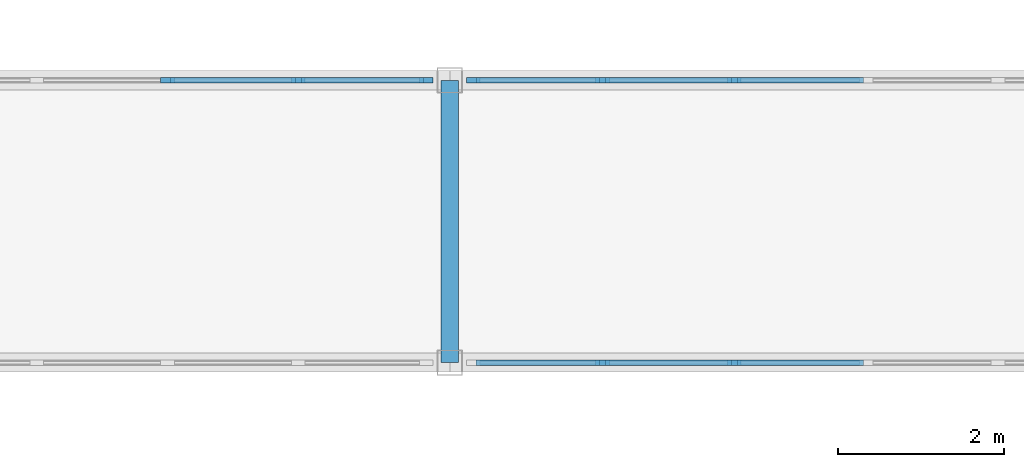
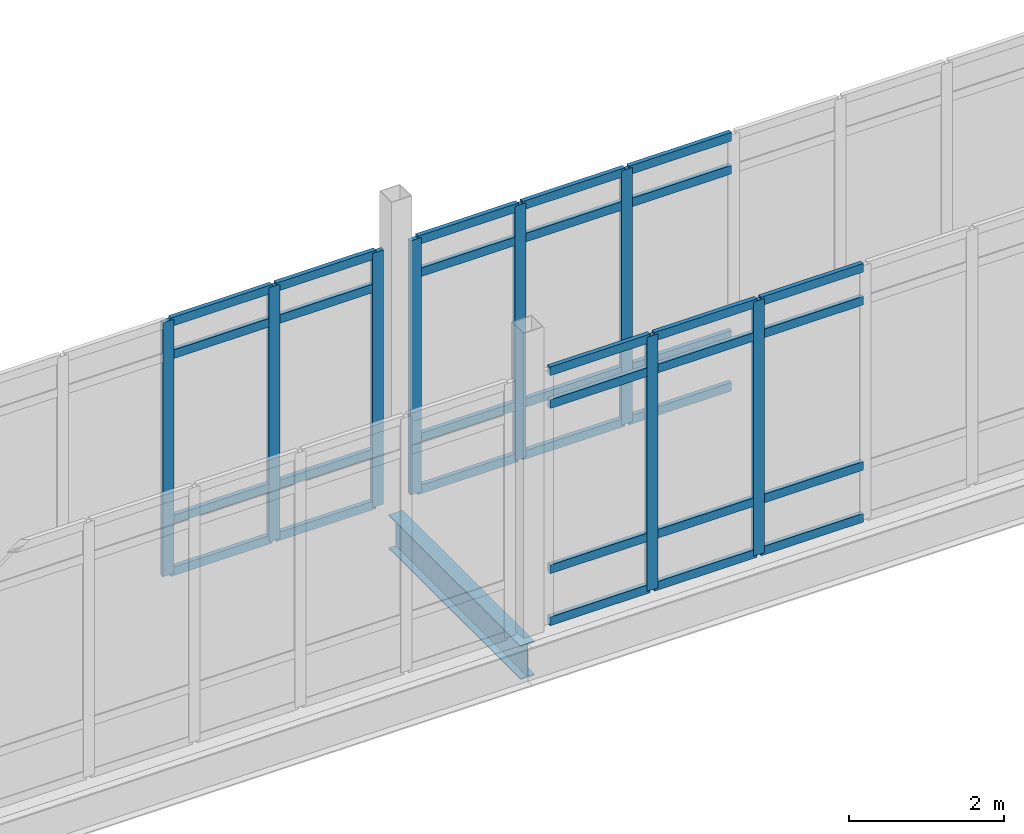
# One storey, part 36 of 125: 40 members, 1 beam, 3 elements without a shape of their own.
"""IFC4 building model written with IfcOpenShell, lengths in metres."""

import ifcopenshell
import ifcopenshell.guid

model = None  # the IFC model being written
_history = None  # IfcOwnerHistory: only IFC2X3 demands one
_inside = {}  # id of a spatial element -> (the spatial element, [elements in it])
_under = {}  # id of a project, library or spatial element -> (it, [spatial elements below it])
_declared = {}  # id of a project -> (the project, [libraries it declares])
_typed = {}  # id of a type object -> (the type object, [elements of that type])
_made_of = {}  # id of a material, layer set ... -> (it, [elements and type objects made of it])


def new_model(schema):
    """Start an empty IFC model of exactly this schema.

    Asked for "IFC4X3", IfcOpenShell would pick the latest addendum, in which some entities
    have other attributes; the version numbers below select the first issue.
    IFC2X3 requires an IfcOwnerHistory on every rooted entity: one is made here for all.
    """
    global model, _history
    if schema == "IFC4X3":
        model = ifcopenshell.file(schema_version=(4, 3, 0, 0))
    else:
        model = ifcopenshell.file(schema=schema)
    _inside.clear()
    _under.clear()
    _declared.clear()
    _typed.clear()
    _made_of.clear()
    _history = None
    if model.schema == "IFC2X3":
        org = make("IfcOrganization", Name="unknown")
        user = make(
            "IfcPersonAndOrganization",
            ThePerson=make("IfcPerson", FamilyName="unknown"),
            TheOrganization=org,
        )
        app = make(
            "IfcApplication",
            ApplicationDeveloper=org,
            Version="unknown",
            ApplicationFullName="unknown",
            ApplicationIdentifier="unknown",
        )
        _history = make(
            "IfcOwnerHistory",
            OwningUser=user,
            OwningApplication=app,
            ChangeAction="ADDED",
            CreationDate=0,
        )
    return model


def make(cls, **values):
    """One entity of the class cls with the attributes given. An attribute that is None is left unset."""
    return model.create_entity(
        cls, **{name: value for name, value in values.items() if value is not None}
    )


def rooted(cls, **values):
    """An entity with a GlobalId (a new one), such as an element, a storey or a relation."""
    return make(cls, GlobalId=ifcopenshell.guid.new(), OwnerHistory=_history, **values)


def si_unit(unit_type, name, prefix=None):
    """IfcSIUnit, for example si_unit("LENGTHUNIT", "METRE", prefix="MILLI")."""
    return make("IfcSIUnit", UnitType=unit_type, Prefix=prefix, Name=name)


def assignment(units):
    """IfcUnitAssignment: the units of a project."""
    return None if units is None else make("IfcUnitAssignment", Units=units)


def point(xyz):
    """IfcCartesianPoint."""
    return None if xyz is None else make("IfcCartesianPoint", Coordinates=xyz)


def direction(xyz):
    """IfcDirection."""
    return None if xyz is None else make("IfcDirection", DirectionRatios=xyz)


def frame(location, z_axis=None, x_axis=None):
    """IfcAxis2Placement3D, a coordinate frame: its origin and axes. An axis left out is left unset."""
    return make(
        "IfcAxis2Placement3D",
        Location=point(location),
        Axis=direction(z_axis),
        RefDirection=direction(x_axis),
    )


def frame_2d(location, x_axis=None):
    """IfcAxis2Placement2D, a coordinate frame in the plane: its origin and x axis."""
    return make(
        "IfcAxis2Placement2D", Location=point(location), RefDirection=direction(x_axis)
    )


def origin():
    """The frame at (0, 0, 0) with its axes left unset."""
    return frame((0.0, 0.0, 0.0))


def origin_2d():
    """The frame at (0, 0) in the plane with its x axis left unset."""
    return frame_2d((0.0, 0.0))


def place(relative_to, where):
    """IfcLocalPlacement: puts the frame where relative to a parent placement (None: the world)."""
    return make(
        "IfcLocalPlacement", PlacementRelTo=relative_to, RelativePlacement=where
    )


def context(
    kind, dimensions, precision=None, world=None, true_north=None, identifier=None
):
    """IfcGeometricRepresentationContext, for example the 3D "Model" context."""
    return make(
        "IfcGeometricRepresentationContext",
        ContextIdentifier=identifier,
        ContextType=kind,
        CoordinateSpaceDimension=dimensions,
        Precision=precision,
        WorldCoordinateSystem=world,
        TrueNorth=true_north,
    )


def subcontext(parent, identifier, kind, view, scale=None):
    """IfcGeometricRepresentationSubContext, for example "Body" below "Model"."""
    return make(
        "IfcGeometricRepresentationSubContext",
        ContextIdentifier=identifier,
        ContextType=kind,
        ParentContext=parent,
        TargetScale=scale,
        TargetView=view,
    )


def project(units=None, contexts=None):
    """IfcProject with its units and contexts."""
    return rooted(
        "IfcProject",
        Name="project",
        RepresentationContexts=contexts,
        UnitsInContext=assignment(units),
    )


def spatial(cls, under=None, at=None, **own):
    """A site, building, storey or space (cls), placed at a placement, below another one or the project."""
    s = rooted(cls, ObjectPlacement=at, **own)
    if under is not None:
        _under.setdefault(under.id(), (under, []))[1].append(s)
    return s


def profile(cls, at=None, kind="AREA", **sizes):
    """A parametric profile (cls). Its sizes go by their IFC names, for example OverallWidth=200.0."""
    return make(cls, ProfileType=kind, Position=at, **sizes)


def rectangle(**sizes):
    """IfcRectangleProfileDef."""
    return profile("IfcRectangleProfileDef", **sizes)


def i_section(**sizes):
    """IfcIShapeProfileDef."""
    return profile("IfcIShapeProfileDef", **sizes)


def extrude(swept, where, along, depth):
    """IfcExtrudedAreaSolid: the profile swept, set in the frame where, extruded along a direction by depth."""
    return make(
        "IfcExtrudedAreaSolid",
        SweptArea=swept,
        Position=where,
        ExtrudedDirection=direction(along),
        Depth=depth,
    )


def shape(context_of_items, identifier, shape_type, items):
    """IfcShapeRepresentation: the items that make up one representation, for example the "Body"."""
    return make(
        "IfcShapeRepresentation",
        ContextOfItems=context_of_items,
        RepresentationIdentifier=identifier,
        RepresentationType=shape_type,
        Items=items,
    )


def material(Name=None, Category=None):
    """IfcMaterial."""
    return make("IfcMaterial", Name=Name, Category=Category)


def material_profile(
    of_material, cross_section, Name=None, Category=None, Priority=None
):
    """IfcMaterialProfile: a cross section and its material."""
    return make(
        "IfcMaterialProfile",
        Name=Name,
        Material=of_material,
        Profile=cross_section,
        Priority=Priority,
        Category=Category,
    )


def profile_set(profiles, Name=None, composite=None):
    """IfcMaterialProfileSet."""
    return make(
        "IfcMaterialProfileSet",
        Name=Name,
        MaterialProfiles=profiles,
        CompositeProfile=composite,
    )


def made_of(thing, what):
    """Note that an element or type object is made of a material, layer set ...; save() writes the relation."""
    if what is not None:
        _made_of.setdefault(what.id(), (what, []))[1].append(thing)
    return thing


def type_object(cls, material=None, **own):
    """A type object (cls), such as IfcWallType, which elements share."""
    return made_of(rooted(cls, **own), material)


def element(
    cls,
    number,
    at=None,
    inside=None,
    cuts=None,
    type_object=None,
    material=None,
    context=None,
    identifier="Body",
    shape_type=None,
    held_by="IfcProductDefinitionShape",
    body=None,
    shapes=None,
    **own,
):
    """One element of the class cls, such as IfcWall. Its Tag is "e" and its number.

    at: its placement. inside: the storey or other place that contains it. cuts: it is an
    opening in that element (IfcRelVoidsElement). A single representation is given by context,
    identifier, shape_type and body (its items); several are given by shapes. held_by: the class
    of the entity that holds the representations. save() writes the other relations.
    """
    e = rooted(cls, Tag="e%d" % number, ObjectPlacement=at, **own)
    if body is not None:
        shapes = [shape(context, identifier, shape_type, body)]
    if shapes is not None:
        e.Representation = make(held_by, Representations=shapes)
    if inside is not None:
        _inside.setdefault(inside.id(), (inside, []))[1].append(e)
    if cuts is not None:
        rooted(
            "IfcRelVoidsElement", RelatingBuildingElement=cuts, RelatedOpeningElement=e
        )
    if type_object is not None:
        _typed.setdefault(type_object.id(), (type_object, []))[1].append(e)
    return made_of(e, material)


def aggregate(whole, parts):
    """IfcRelAggregates: a whole, such as a stair, and the parts it consists of."""
    return rooted("IfcRelAggregates", RelatingObject=whole, RelatedObjects=parts)


def save(model, path):
    """Write the relations noted so far, then the file.

    IfcRelAggregates (storeys below a building ...), IfcRelContainedInSpatialStructure (elements
    in a storey), IfcRelDefinesByType, IfcRelAssociatesMaterial and IfcRelDeclares: one each for
    every whole, place, type object, material and project.
    """
    for whole, parts in _under.values():
        aggregate(whole, parts)
    for where, things in _inside.values():
        rooted(
            "IfcRelContainedInSpatialStructure",
            RelatedElements=things,
            RelatingStructure=where,
        )
    for kind, things in _typed.values():
        rooted("IfcRelDefinesByType", RelatedObjects=things, RelatingType=kind)
    for what, things in _made_of.values():
        rooted("IfcRelAssociatesMaterial", RelatedObjects=things, RelatingMaterial=what)
    for by, libraries in _declared.values():
        rooted("IfcRelDeclares", RelatingContext=by, RelatedDefinitions=libraries)
    model.write(path)


model = new_model("IFC4")

# Units and contexts
model_context = context("Model", 3, precision=1e-05, world=origin(), true_north=direction((0.0, 1.0)))
body_context = subcontext(model_context, "Body", "Model", "MODEL_VIEW")
ifc_project = project(units=[si_unit("LENGTHUNIT", "METRE"), si_unit("AREAUNIT", "SQUARE_METRE"), si_unit("VOLUMEUNIT", "CUBIC_METRE"), si_unit("PLANEANGLEUNIT", "RADIAN"), si_unit("MASSUNIT", "GRAM", prefix="KILO")], contexts=[model_context])

# Site, building, storey
site_placement = place(None, origin())
site = spatial("IfcSite", under=ifc_project, at=site_placement, CompositionType="ELEMENT")
building_placement = place(site_placement, origin())
building = spatial("IfcBuilding", under=site, at=building_placement, Name="Dornvale Research Institute", CompositionType="ELEMENT")
storey_placement = place(building_placement, frame((0.0, 0.0, 5.39990234375)))
storey = spatial("IfcBuildingStorey", under=building, at=storey_placement, Name="L01", CompositionType="ELEMENT", Elevation=5.39990234375)

# Beam
ifc_material_1 = material(Name="Steel ASTM A992 Grade 50", Category="steel")
ifc_material_profile_1 = material_profile(ifc_material_1, i_section(OverallWidth=0.2099609375, OverallDepth=0.535888671875, WebThickness=0.010986328125, FlangeThickness=0.017333984375, at=origin_2d()), Name="W21X68")
ifc_profile_set_1 = profile_set([ifc_material_profile_1], Name="Steel ASTM A992 Grade 50")
beam_type = type_object("IfcBeamType", Name="Beam_Steel_W21X68_Ext", PredefinedType="BEAM", material=ifc_profile_set_1)
beam_placement = place(storey_placement, frame((59.39990234375, 113.10009765625, -0.48779296875), z_axis=(0.0, 1.0, 0.0), x_axis=(-1.0, 0.0, 0.0)))
element("IfcBeam", 1, at=beam_placement, inside=storey, type_object=beam_type, Name="L01 BR-5 portal cap beam #2026", PredefinedType="BEAM", context=body_context, shape_type="SweptSolid", body=[
    extrude(i_section(OverallWidth=0.2099609375, OverallDepth=0.535888671875, WebThickness=0.010986328125, FlangeThickness=0.017333984375, at=origin_2d()), origin(), (0.0, 0.0, 1.0), 3.39990234375),
])

# Curtain wall, members
ifc_material_2 = material(Name="Low-E Argon Double Insulating Glazing Unit", Category="glass")
curtain_wall_type_1 = type_object("IfcCurtainWallType", Name="UnitisedCurtainWall_V2_12600x4000", PredefinedType="USERDEFINED", material=ifc_material_2)
curtain_wall_1_placement = place(storey_placement, origin())
curtain_wall_1 = element("IfcCurtainWall", 2, at=curtain_wall_1_placement, inside=storey, type_object=curtain_wall_type_1, Name="L01 V2 unitised curtain wall CW-41 #211", ObjectType="UNITISED CURTAIN WALL", PredefinedType="USERDEFINED")
ifc_material_3 = material(Name="Anodized Aluminum AA 6063-T6 Thermally Broken Frame", Category="aluminium")
ifc_material_profile_2 = material_profile(ifc_material_3, rectangle(XDim=0.06494140625, YDim=0.1650390625, at=origin_2d()), Name="ALU MULLION 65x165")
ifc_profile_set_2 = profile_set([ifc_material_profile_2], Name="Anodized Aluminum AA 6063-T6 Thermally Broken Frame")
member_type_1 = type_object("IfcMemberType", Name="Mullion_Atrium_65x165", PredefinedType="MULLION", material=ifc_profile_set_2)
member_1_placement = place(storey_placement, frame((56.0, 116.5, 0.0), z_axis=(0.0, 0.0, 1.0), x_axis=(0.0, 1.0, 0.0)))
member_1 = element("IfcMember", 3, at=member_1_placement, type_object=member_type_1, Name="CW-41 mullion 7", PredefinedType="MULLION", context=body_context, shape_type="SweptSolid", body=[
    extrude(rectangle(XDim=0.06494140625, YDim=0.1650390625, at=origin_2d()), origin(), (0.0, 0.0, 1.0), 4.0),
])
member_2_placement = place(storey_placement, frame((57.574951171875, 116.5, 0.0), z_axis=(0.0, 0.0, 1.0), x_axis=(0.0, 1.0, 0.0)))
member_2 = element("IfcMember", 4, at=member_2_placement, type_object=member_type_1, Name="CW-41 mullion 8", PredefinedType="MULLION", context=body_context, shape_type="SweptSolid", body=[
    extrude(rectangle(XDim=0.06494140625, YDim=0.1650390625, at=origin_2d()), origin(), (0.0, 0.0, 1.0), 4.0),
])
member_3_placement = place(storey_placement, frame((59.117431640625, 116.5, 0.0), z_axis=(0.0, 0.0, 1.0), x_axis=(0.0, 1.0, 0.0)))
member_3 = element("IfcMember", 5, at=member_3_placement, type_object=member_type_1, Name="CW-41 mullion 9", PredefinedType="MULLION", context=body_context, shape_type="SweptSolid", body=[
    extrude(rectangle(XDim=0.06494140625, YDim=0.1650390625, at=origin_2d()), origin(), (0.0, 0.0, 1.0), 4.0),
])

ifc_material_4 = material(Name="Low-E Argon Double Insulating Glazing Unit", Category="glass")
curtain_wall_type_2 = type_object("IfcCurtainWallType", Name="UnitisedCurtainWall_V2_12700x4000", PredefinedType="USERDEFINED", material=ifc_material_4)
curtain_wall_2_placement = place(storey_placement, origin())
curtain_wall_2 = element("IfcCurtainWall", 6, at=curtain_wall_2_placement, inside=storey, type_object=curtain_wall_type_2, Name="L01 V2 unitised curtain wall CW-42 #213", ObjectType="UNITISED CURTAIN WALL", PredefinedType="USERDEFINED")
member_4_placement = place(storey_placement, frame((59.6826171875, 116.5, 0.0), z_axis=(0.0, 0.0, 1.0), x_axis=(0.0, 1.0, 0.0)))
member_4 = element("IfcMember", 7, at=member_4_placement, type_object=member_type_1, Name="CW-42 mullion 1", PredefinedType="MULLION", context=body_context, shape_type="SweptSolid", body=[
    extrude(rectangle(XDim=0.06494140625, YDim=0.1650390625, at=origin_2d()), origin(), (0.0, 0.0, 1.0), 4.0),
])
member_5_placement = place(storey_placement, frame((61.237548828125, 116.5, 0.0), z_axis=(0.0, 0.0, 1.0), x_axis=(0.0, 1.0, 0.0)))
member_5 = element("IfcMember", 8, at=member_5_placement, type_object=member_type_1, Name="CW-42 mullion 2", PredefinedType="MULLION", context=body_context, shape_type="SweptSolid", body=[
    extrude(rectangle(XDim=0.06494140625, YDim=0.1650390625, at=origin_2d()), origin(), (0.0, 0.0, 1.0), 4.0),
])
member_6_placement = place(storey_placement, frame((62.824951171875, 116.5, 0.0), z_axis=(0.0, 0.0, 1.0), x_axis=(0.0, 1.0, 0.0)))
member_6 = element("IfcMember", 9, at=member_6_placement, type_object=member_type_1, Name="CW-42 mullion 3", PredefinedType="MULLION", context=body_context, shape_type="SweptSolid", body=[
    extrude(rectangle(XDim=0.06494140625, YDim=0.1650390625, at=origin_2d()), origin(), (0.0, 0.0, 1.0), 4.0),
])

curtain_wall_3_placement = place(storey_placement, origin())
curtain_wall_3 = element("IfcCurtainWall", 10, at=curtain_wall_3_placement, inside=storey, type_object=curtain_wall_type_2, Name="L01 V2 unitised curtain wall CW-42 #214", ObjectType="UNITISED CURTAIN WALL", PredefinedType="USERDEFINED")
member_7_placement = place(storey_placement, frame((62.824951171875, 113.10009765625, 0.0), z_axis=(0.0, 0.0, 1.0), x_axis=(0.0, -1.0, 0.0)))
member_7 = element("IfcMember", 11, at=member_7_placement, type_object=member_type_1, Name="CW-42 mullion 7", PredefinedType="MULLION", context=body_context, shape_type="SweptSolid", body=[
    extrude(rectangle(XDim=0.06494140625, YDim=0.1650390625, at=origin_2d()), origin(), (0.0, 0.0, 1.0), 4.0),
])
member_8_placement = place(storey_placement, frame((61.237548828125, 113.10009765625, 0.0), z_axis=(0.0, 0.0, 1.0), x_axis=(0.0, -1.0, 0.0)))
member_8 = element("IfcMember", 12, at=member_8_placement, type_object=member_type_1, Name="CW-42 mullion 8", PredefinedType="MULLION", context=body_context, shape_type="SweptSolid", body=[
    extrude(rectangle(XDim=0.06494140625, YDim=0.1650390625, at=origin_2d()), origin(), (0.0, 0.0, 1.0), 4.0),
])

# Member
ifc_material_5 = material(Name="Anodized Aluminum AA 6063-T6 Thermally Broken Frame", Category="aluminium")
ifc_material_profile_3 = material_profile(ifc_material_5, rectangle(XDim=0.06494140625, YDim=0.135009765625, at=origin_2d()), Name="ALU TRANSOM 65x135")
ifc_profile_set_3 = profile_set([ifc_material_profile_3], Name="Anodized Aluminum AA 6063-T6 Thermally Broken Frame")
member_type_2 = type_object("IfcMemberType", Name="Transom_CW_65x135", PredefinedType="USERDEFINED", material=ifc_profile_set_3)
member_9_placement = place(storey_placement, frame((56.032470703125, 116.5, 0.03271484375), z_axis=(1.0, 0.0, 0.0), x_axis=(0.0, 1.0, 0.0)))
member_9 = element("IfcMember", 13, at=member_9_placement, type_object=member_type_2, Name="CW-41 transom 7.1", ObjectType="TRANSOM", PredefinedType="USERDEFINED", context=body_context, shape_type="SweptSolid", body=[
    extrude(rectangle(XDim=0.06494140625, YDim=0.135009765625, at=origin_2d()), origin(), (0.0, 0.0, 1.0), 1.510009765625),
])

member_10_placement = place(storey_placement, frame((56.032470703125, 116.5, 0.85009765625), z_axis=(1.0, 0.0, 0.0), x_axis=(0.0, 1.0, 0.0)))
member_10 = element("IfcMember", 14, at=member_10_placement, type_object=member_type_2, Name="CW-41 transom 7.2", ObjectType="TRANSOM", PredefinedType="USERDEFINED", context=body_context, shape_type="SweptSolid", body=[
    extrude(rectangle(XDim=0.06494140625, YDim=0.135009765625, at=origin_2d()), origin(), (0.0, 0.0, 1.0), 1.510009765625),
])

member_11_placement = place(storey_placement, frame((56.032470703125, 116.5, 3.4501953125), z_axis=(1.0, 0.0, 0.0), x_axis=(0.0, 1.0, 0.0)))
member_11 = element("IfcMember", 15, at=member_11_placement, type_object=member_type_2, Name="CW-41 transom 7.3", ObjectType="TRANSOM", PredefinedType="USERDEFINED", context=body_context, shape_type="SweptSolid", body=[
    extrude(rectangle(XDim=0.06494140625, YDim=0.135009765625, at=origin_2d()), origin(), (0.0, 0.0, 1.0), 1.510009765625),
])

member_12_placement = place(storey_placement, frame((56.032470703125, 116.5, 3.967529296875), z_axis=(1.0, 0.0, 0.0), x_axis=(0.0, 1.0, 0.0)))
member_12 = element("IfcMember", 16, at=member_12_placement, type_object=member_type_2, Name="CW-41 transom 7.4", ObjectType="TRANSOM", PredefinedType="USERDEFINED", context=body_context, shape_type="SweptSolid", body=[
    extrude(rectangle(XDim=0.06494140625, YDim=0.135009765625, at=origin_2d()), origin(), (0.0, 0.0, 1.0), 1.510009765625),
])

member_13_placement = place(storey_placement, frame((57.607421875, 116.5, 0.03271484375), z_axis=(1.0, 0.0, 0.0), x_axis=(0.0, 1.0, 0.0)))
member_13 = element("IfcMember", 17, at=member_13_placement, type_object=member_type_2, Name="CW-41 transom 8.1", ObjectType="TRANSOM", PredefinedType="USERDEFINED", context=body_context, shape_type="SweptSolid", body=[
    extrude(rectangle(XDim=0.06494140625, YDim=0.135009765625, at=origin_2d()), origin(), (0.0, 0.0, 1.0), 1.4775390625),
])

member_14_placement = place(storey_placement, frame((57.607421875, 116.5, 0.85009765625), z_axis=(1.0, 0.0, 0.0), x_axis=(0.0, 1.0, 0.0)))
member_14 = element("IfcMember", 18, at=member_14_placement, type_object=member_type_2, Name="CW-41 transom 8.2", ObjectType="TRANSOM", PredefinedType="USERDEFINED", context=body_context, shape_type="SweptSolid", body=[
    extrude(rectangle(XDim=0.06494140625, YDim=0.135009765625, at=origin_2d()), origin(), (0.0, 0.0, 1.0), 1.4775390625),
])

member_15_placement = place(storey_placement, frame((57.607421875, 116.5, 3.4501953125), z_axis=(1.0, 0.0, 0.0), x_axis=(0.0, 1.0, 0.0)))
member_15 = element("IfcMember", 19, at=member_15_placement, type_object=member_type_2, Name="CW-41 transom 8.3", ObjectType="TRANSOM", PredefinedType="USERDEFINED", context=body_context, shape_type="SweptSolid", body=[
    extrude(rectangle(XDim=0.06494140625, YDim=0.135009765625, at=origin_2d()), origin(), (0.0, 0.0, 1.0), 1.4775390625),
])

member_16_placement = place(storey_placement, frame((57.607421875, 116.5, 3.967529296875), z_axis=(1.0, 0.0, 0.0), x_axis=(0.0, 1.0, 0.0)))
member_16 = element("IfcMember", 20, at=member_16_placement, type_object=member_type_2, Name="CW-41 transom 8.4", ObjectType="TRANSOM", PredefinedType="USERDEFINED", context=body_context, shape_type="SweptSolid", body=[
    extrude(rectangle(XDim=0.06494140625, YDim=0.135009765625, at=origin_2d()), origin(), (0.0, 0.0, 1.0), 1.4775390625),
])

aggregate(curtain_wall_1, [member_1, member_2, member_3, member_9, member_10, member_11, member_12, member_13, member_14, member_15, member_16])

member_17_placement = place(storey_placement, frame((59.715087890625, 116.5, 0.03271484375), z_axis=(1.0, 0.0, 0.0), x_axis=(0.0, 1.0, 0.0)))
member_17 = element("IfcMember", 21, at=member_17_placement, type_object=member_type_2, Name="CW-42 transom 1.1", ObjectType="TRANSOM", PredefinedType="USERDEFINED", context=body_context, shape_type="SweptSolid", body=[
    extrude(rectangle(XDim=0.06494140625, YDim=0.135009765625, at=origin_2d()), origin(), (0.0, 0.0, 1.0), 1.489990234375),
])

member_18_placement = place(storey_placement, frame((59.715087890625, 116.5, 0.85009765625), z_axis=(1.0, 0.0, 0.0), x_axis=(0.0, 1.0, 0.0)))
member_18 = element("IfcMember", 22, at=member_18_placement, type_object=member_type_2, Name="CW-42 transom 1.2", ObjectType="TRANSOM", PredefinedType="USERDEFINED", context=body_context, shape_type="SweptSolid", body=[
    extrude(rectangle(XDim=0.06494140625, YDim=0.135009765625, at=origin_2d()), origin(), (0.0, 0.0, 1.0), 1.489990234375),
])

member_19_placement = place(storey_placement, frame((59.715087890625, 116.5, 3.4501953125), z_axis=(1.0, 0.0, 0.0), x_axis=(0.0, 1.0, 0.0)))
member_19 = element("IfcMember", 23, at=member_19_placement, type_object=member_type_2, Name="CW-42 transom 1.3", ObjectType="TRANSOM", PredefinedType="USERDEFINED", context=body_context, shape_type="SweptSolid", body=[
    extrude(rectangle(XDim=0.06494140625, YDim=0.135009765625, at=origin_2d()), origin(), (0.0, 0.0, 1.0), 1.489990234375),
])

member_20_placement = place(storey_placement, frame((59.715087890625, 116.5, 3.967529296875), z_axis=(1.0, 0.0, 0.0), x_axis=(0.0, 1.0, 0.0)))
member_20 = element("IfcMember", 24, at=member_20_placement, type_object=member_type_2, Name="CW-42 transom 1.4", ObjectType="TRANSOM", PredefinedType="USERDEFINED", context=body_context, shape_type="SweptSolid", body=[
    extrude(rectangle(XDim=0.06494140625, YDim=0.135009765625, at=origin_2d()), origin(), (0.0, 0.0, 1.0), 1.489990234375),
])

member_21_placement = place(storey_placement, frame((61.27001953125, 116.5, 0.03271484375), z_axis=(1.0, 0.0, 0.0), x_axis=(0.0, 1.0, 0.0)))
member_21 = element("IfcMember", 25, at=member_21_placement, type_object=member_type_2, Name="CW-42 transom 2.1", ObjectType="TRANSOM", PredefinedType="USERDEFINED", context=body_context, shape_type="SweptSolid", body=[
    extrude(rectangle(XDim=0.06494140625, YDim=0.135009765625, at=origin_2d()), origin(), (0.0, 0.0, 1.0), 1.5224609375),
])

member_22_placement = place(storey_placement, frame((61.27001953125, 116.5, 0.85009765625), z_axis=(1.0, 0.0, 0.0), x_axis=(0.0, 1.0, 0.0)))
member_22 = element("IfcMember", 26, at=member_22_placement, type_object=member_type_2, Name="CW-42 transom 2.2", ObjectType="TRANSOM", PredefinedType="USERDEFINED", context=body_context, shape_type="SweptSolid", body=[
    extrude(rectangle(XDim=0.06494140625, YDim=0.135009765625, at=origin_2d()), origin(), (0.0, 0.0, 1.0), 1.5224609375),
])

member_23_placement = place(storey_placement, frame((61.27001953125, 116.5, 3.4501953125), z_axis=(1.0, 0.0, 0.0), x_axis=(0.0, 1.0, 0.0)))
member_23 = element("IfcMember", 27, at=member_23_placement, type_object=member_type_2, Name="CW-42 transom 2.3", ObjectType="TRANSOM", PredefinedType="USERDEFINED", context=body_context, shape_type="SweptSolid", body=[
    extrude(rectangle(XDim=0.06494140625, YDim=0.135009765625, at=origin_2d()), origin(), (0.0, 0.0, 1.0), 1.5224609375),
])

member_24_placement = place(storey_placement, frame((61.27001953125, 116.5, 3.967529296875), z_axis=(1.0, 0.0, 0.0), x_axis=(0.0, 1.0, 0.0)))
member_24 = element("IfcMember", 28, at=member_24_placement, type_object=member_type_2, Name="CW-42 transom 2.4", ObjectType="TRANSOM", PredefinedType="USERDEFINED", context=body_context, shape_type="SweptSolid", body=[
    extrude(rectangle(XDim=0.06494140625, YDim=0.135009765625, at=origin_2d()), origin(), (0.0, 0.0, 1.0), 1.5224609375),
])

member_25_placement = place(storey_placement, frame((62.857421875, 116.5, 0.03271484375), z_axis=(1.0, 0.0, 0.0), x_axis=(0.0, 1.0, 0.0)))
member_25 = element("IfcMember", 29, at=member_25_placement, type_object=member_type_2, Name="CW-42 transom 3.1", ObjectType="TRANSOM", PredefinedType="USERDEFINED", context=body_context, shape_type="SweptSolid", body=[
    extrude(rectangle(XDim=0.06494140625, YDim=0.135009765625, at=origin_2d()), origin(), (0.0, 0.0, 1.0), 1.5224609375),
])

member_26_placement = place(storey_placement, frame((62.857421875, 116.5, 0.85009765625), z_axis=(1.0, 0.0, 0.0), x_axis=(0.0, 1.0, 0.0)))
member_26 = element("IfcMember", 30, at=member_26_placement, type_object=member_type_2, Name="CW-42 transom 3.2", ObjectType="TRANSOM", PredefinedType="USERDEFINED", context=body_context, shape_type="SweptSolid", body=[
    extrude(rectangle(XDim=0.06494140625, YDim=0.135009765625, at=origin_2d()), origin(), (0.0, 0.0, 1.0), 1.5224609375),
])

member_27_placement = place(storey_placement, frame((62.857421875, 116.5, 3.4501953125), z_axis=(1.0, 0.0, 0.0), x_axis=(0.0, 1.0, 0.0)))
member_27 = element("IfcMember", 31, at=member_27_placement, type_object=member_type_2, Name="CW-42 transom 3.3", ObjectType="TRANSOM", PredefinedType="USERDEFINED", context=body_context, shape_type="SweptSolid", body=[
    extrude(rectangle(XDim=0.06494140625, YDim=0.135009765625, at=origin_2d()), origin(), (0.0, 0.0, 1.0), 1.5224609375),
])

member_28_placement = place(storey_placement, frame((62.857421875, 116.5, 3.967529296875), z_axis=(1.0, 0.0, 0.0), x_axis=(0.0, 1.0, 0.0)))
member_28 = element("IfcMember", 32, at=member_28_placement, type_object=member_type_2, Name="CW-42 transom 3.4", ObjectType="TRANSOM", PredefinedType="USERDEFINED", context=body_context, shape_type="SweptSolid", body=[
    extrude(rectangle(XDim=0.06494140625, YDim=0.135009765625, at=origin_2d()), origin(), (0.0, 0.0, 1.0), 1.5224609375),
])

aggregate(curtain_wall_2, [member_4, member_5, member_6, member_17, member_18, member_19, member_20, member_21, member_22, member_23, member_24, member_25, member_26, member_27, member_28])

member_29_placement = place(storey_placement, frame((64.3798828125, 113.10009765625, 0.03271484375), z_axis=(-1.0, 0.0, 0.0), x_axis=(0.0, -1.0, 0.0)))
member_29 = element("IfcMember", 33, at=member_29_placement, type_object=member_type_2, Name="CW-42 transom 6.1", ObjectType="TRANSOM", PredefinedType="USERDEFINED", context=body_context, shape_type="SweptSolid", body=[
    extrude(rectangle(XDim=0.06494140625, YDim=0.135009765625, at=origin_2d()), origin(), (0.0, 0.0, 1.0), 1.5224609375),
])

member_30_placement = place(storey_placement, frame((64.3798828125, 113.10009765625, 0.85009765625), z_axis=(-1.0, 0.0, 0.0), x_axis=(0.0, -1.0, 0.0)))
member_30 = element("IfcMember", 34, at=member_30_placement, type_object=member_type_2, Name="CW-42 transom 6.2", ObjectType="TRANSOM", PredefinedType="USERDEFINED", context=body_context, shape_type="SweptSolid", body=[
    extrude(rectangle(XDim=0.06494140625, YDim=0.135009765625, at=origin_2d()), origin(), (0.0, 0.0, 1.0), 1.5224609375),
])

member_31_placement = place(storey_placement, frame((64.3798828125, 113.10009765625, 3.4501953125), z_axis=(-1.0, 0.0, 0.0), x_axis=(0.0, -1.0, 0.0)))
member_31 = element("IfcMember", 35, at=member_31_placement, type_object=member_type_2, Name="CW-42 transom 6.3", ObjectType="TRANSOM", PredefinedType="USERDEFINED", context=body_context, shape_type="SweptSolid", body=[
    extrude(rectangle(XDim=0.06494140625, YDim=0.135009765625, at=origin_2d()), origin(), (0.0, 0.0, 1.0), 1.5224609375),
])

member_32_placement = place(storey_placement, frame((64.3798828125, 113.10009765625, 3.967529296875), z_axis=(-1.0, 0.0, 0.0), x_axis=(0.0, -1.0, 0.0)))
member_32 = element("IfcMember", 36, at=member_32_placement, type_object=member_type_2, Name="CW-42 transom 6.4", ObjectType="TRANSOM", PredefinedType="USERDEFINED", context=body_context, shape_type="SweptSolid", body=[
    extrude(rectangle(XDim=0.06494140625, YDim=0.135009765625, at=origin_2d()), origin(), (0.0, 0.0, 1.0), 1.5224609375),
])

member_33_placement = place(storey_placement, frame((62.79248046875, 113.10009765625, 0.03271484375), z_axis=(-1.0, 0.0, 0.0), x_axis=(0.0, -1.0, 0.0)))
member_33 = element("IfcMember", 37, at=member_33_placement, type_object=member_type_2, Name="CW-42 transom 7.1", ObjectType="TRANSOM", PredefinedType="USERDEFINED", context=body_context, shape_type="SweptSolid", body=[
    extrude(rectangle(XDim=0.06494140625, YDim=0.135009765625, at=origin_2d()), origin(), (0.0, 0.0, 1.0), 1.5224609375),
])

member_34_placement = place(storey_placement, frame((62.79248046875, 113.10009765625, 0.85009765625), z_axis=(-1.0, 0.0, 0.0), x_axis=(0.0, -1.0, 0.0)))
member_34 = element("IfcMember", 38, at=member_34_placement, type_object=member_type_2, Name="CW-42 transom 7.2", ObjectType="TRANSOM", PredefinedType="USERDEFINED", context=body_context, shape_type="SweptSolid", body=[
    extrude(rectangle(XDim=0.06494140625, YDim=0.135009765625, at=origin_2d()), origin(), (0.0, 0.0, 1.0), 1.5224609375),
])

member_35_placement = place(storey_placement, frame((62.79248046875, 113.10009765625, 3.4501953125), z_axis=(-1.0, 0.0, 0.0), x_axis=(0.0, -1.0, 0.0)))
member_35 = element("IfcMember", 39, at=member_35_placement, type_object=member_type_2, Name="CW-42 transom 7.3", ObjectType="TRANSOM", PredefinedType="USERDEFINED", context=body_context, shape_type="SweptSolid", body=[
    extrude(rectangle(XDim=0.06494140625, YDim=0.135009765625, at=origin_2d()), origin(), (0.0, 0.0, 1.0), 1.5224609375),
])

member_36_placement = place(storey_placement, frame((62.79248046875, 113.10009765625, 3.967529296875), z_axis=(-1.0, 0.0, 0.0), x_axis=(0.0, -1.0, 0.0)))
member_36 = element("IfcMember", 40, at=member_36_placement, type_object=member_type_2, Name="CW-42 transom 7.4", ObjectType="TRANSOM", PredefinedType="USERDEFINED", context=body_context, shape_type="SweptSolid", body=[
    extrude(rectangle(XDim=0.06494140625, YDim=0.135009765625, at=origin_2d()), origin(), (0.0, 0.0, 1.0), 1.5224609375),
])

member_37_placement = place(storey_placement, frame((61.205078125, 113.10009765625, 0.03271484375), z_axis=(-1.0, 0.0, 0.0), x_axis=(0.0, -1.0, 0.0)))
member_37 = element("IfcMember", 41, at=member_37_placement, type_object=member_type_2, Name="CW-42 transom 8.1", ObjectType="TRANSOM", PredefinedType="USERDEFINED", context=body_context, shape_type="SweptSolid", body=[
    extrude(rectangle(XDim=0.06494140625, YDim=0.135009765625, at=origin_2d()), origin(), (0.0, 0.0, 1.0), 1.489990234375),
])

member_38_placement = place(storey_placement, frame((61.205078125, 113.10009765625, 0.85009765625), z_axis=(-1.0, 0.0, 0.0), x_axis=(0.0, -1.0, 0.0)))
member_38 = element("IfcMember", 42, at=member_38_placement, type_object=member_type_2, Name="CW-42 transom 8.2", ObjectType="TRANSOM", PredefinedType="USERDEFINED", context=body_context, shape_type="SweptSolid", body=[
    extrude(rectangle(XDim=0.06494140625, YDim=0.135009765625, at=origin_2d()), origin(), (0.0, 0.0, 1.0), 1.489990234375),
])

member_39_placement = place(storey_placement, frame((61.205078125, 113.10009765625, 3.4501953125), z_axis=(-1.0, 0.0, 0.0), x_axis=(0.0, -1.0, 0.0)))
member_39 = element("IfcMember", 43, at=member_39_placement, type_object=member_type_2, Name="CW-42 transom 8.3", ObjectType="TRANSOM", PredefinedType="USERDEFINED", context=body_context, shape_type="SweptSolid", body=[
    extrude(rectangle(XDim=0.06494140625, YDim=0.135009765625, at=origin_2d()), origin(), (0.0, 0.0, 1.0), 1.489990234375),
])

member_40_placement = place(storey_placement, frame((61.205078125, 113.10009765625, 3.967529296875), z_axis=(-1.0, 0.0, 0.0), x_axis=(0.0, -1.0, 0.0)))
member_40 = element("IfcMember", 44, at=member_40_placement, type_object=member_type_2, Name="CW-42 transom 8.4", ObjectType="TRANSOM", PredefinedType="USERDEFINED", context=body_context, shape_type="SweptSolid", body=[
    extrude(rectangle(XDim=0.06494140625, YDim=0.135009765625, at=origin_2d()), origin(), (0.0, 0.0, 1.0), 1.489990234375),
])

aggregate(curtain_wall_3, [member_7, member_8, member_29, member_30, member_31, member_32, member_33, member_34, member_35, member_36, member_37, member_38, member_39, member_40])

save(model, "model.ifc")
